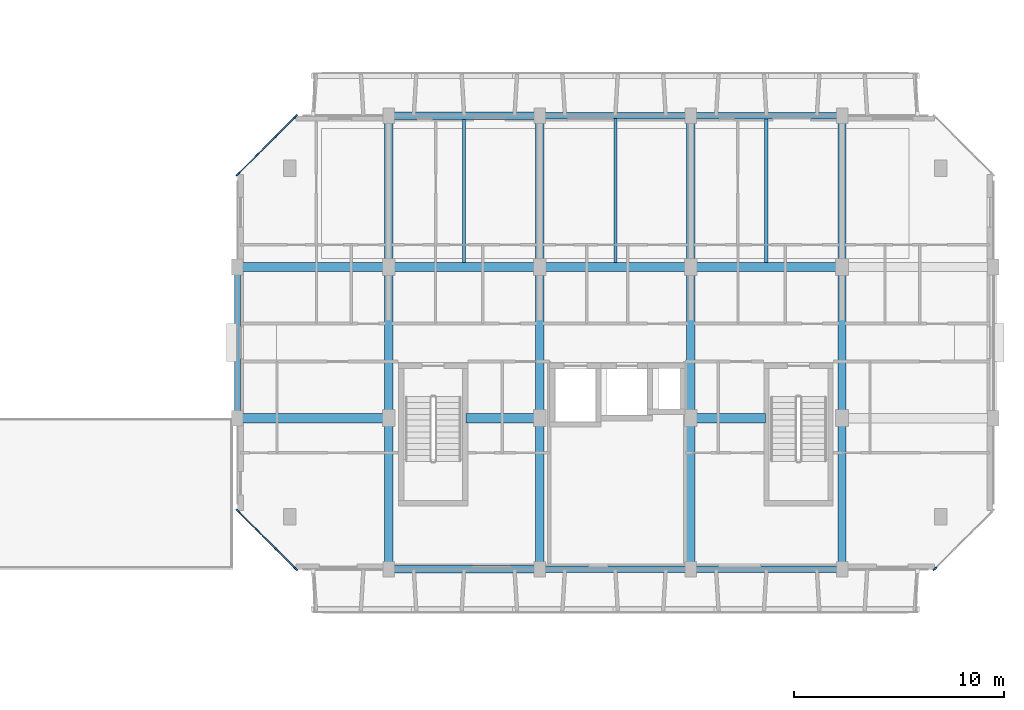
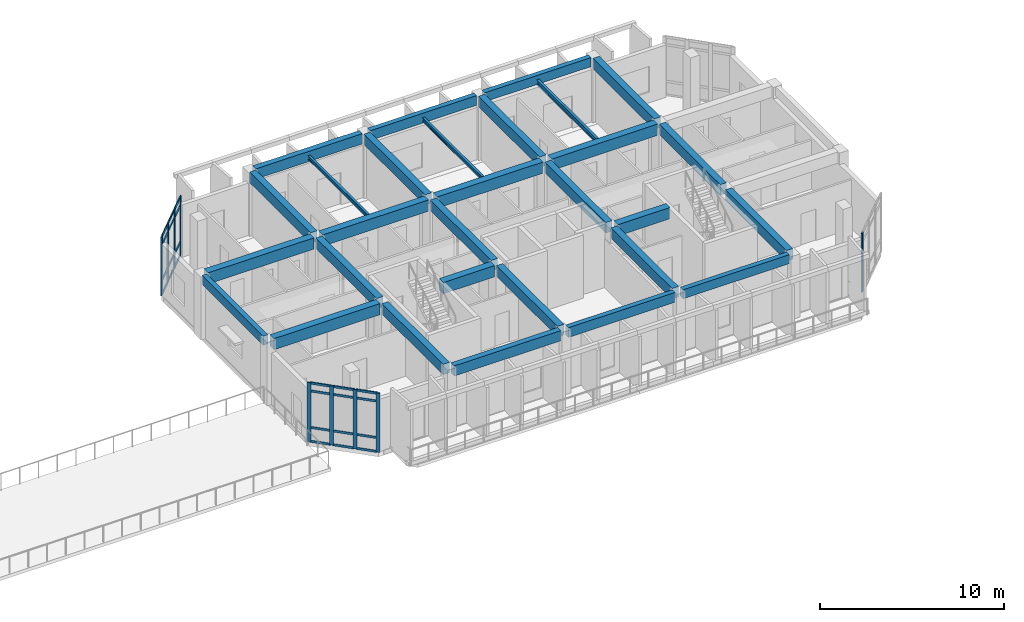
# One storey, part 33 of 85: 33 members, 29 beams, 3 elements without a shape of their own.
"""IFC4 building model written with IfcOpenShell, lengths in metres."""

from ifc_helpers import new_model, si_unit, direction, frame, origin, origin_2d, place, context, subcontext, project, spatial, rectangle, i_section, extrude, material, layer, layer_set, material_profile, profile_set, type_object, element, aggregate, save


model = new_model("IFC4")

# Units and contexts
model_context = context("Model", 3, precision=1e-05, world=origin(), true_north=direction((0.0, 1.0)))
body_context = subcontext(model_context, "Body", "Model", "MODEL_VIEW")
ifc_project = project(units=[si_unit("LENGTHUNIT", "METRE"), si_unit("AREAUNIT", "SQUARE_METRE"), si_unit("VOLUMEUNIT", "CUBIC_METRE"), si_unit("PLANEANGLEUNIT", "RADIAN"), si_unit("MASSUNIT", "GRAM", prefix="KILO")], contexts=[model_context])

# Site, building, storey
site_placement = place(None, origin())
site = spatial("IfcSite", under=ifc_project, at=site_placement, CompositionType="ELEMENT")
building_placement = place(site_placement, origin())
building = spatial("IfcBuilding", under=site, at=building_placement, Name="Ochrevale Crest", CompositionType="ELEMENT")
storey_placement = place(building_placement, frame((0.0, 0.0, 4.5)))
storey = spatial("IfcBuildingStorey", under=building, at=storey_placement, Name="L01", CompositionType="ELEMENT", Elevation=4.5)

# Beams
ifc_material_1 = material(Name="Precast concrete C50/60", Category="concrete")
ifc_material_profile_1 = material_profile(ifc_material_1, rectangle(XDim=0.39990234375, YDim=0.699951171875, at=origin_2d()), Name="PC 400x700")
ifc_profile_set_1 = profile_set([ifc_material_profile_1], Name="Precast concrete C50/60")
beam_type_1 = type_object("IfcBeamType", Name="BM-PC400x700", PredefinedType="BEAM", material=ifc_profile_set_1)
beam_1_placement = place(storey_placement, frame((136.800048828125, 72.2548828125, 3.85009765625), z_axis=(0.0, 1.0, 0.0), x_axis=(-1.0, 0.0, 0.0)))
element("IfcBeam", 1, at=beam_1_placement, inside=storey, type_object=beam_type_1, Name="Block D L01 N-S beam X=136.8", PredefinedType="BEAM", context=body_context, shape_type="SweptSolid", body=[
    extrude(rectangle(XDim=0.39990234375, YDim=0.699951171875, at=origin_2d()), origin(), (0.0, 0.0, 1.0), 6.6650390625),
])
beam_2_placement = place(storey_placement, frame((136.800048828125, 79.47998046875, 3.85009765625), z_axis=(0.0, 1.0, 0.0), x_axis=(-1.0, 0.0, 0.0)))
element("IfcBeam", 2, at=beam_2_placement, inside=storey, type_object=beam_type_1, Name="Block D L01 N-S beam X=136.8", PredefinedType="BEAM", context=body_context, shape_type="SweptSolid", body=[
    extrude(rectangle(XDim=0.39990234375, YDim=0.699951171875, at=origin_2d()), origin(), (0.0, 0.0, 1.0), 6.64013671875),
])
for number, where, z_axis, x_axis, name in (
    (3, (136.800048828125, 86.679931640625, 3.85009765625), (0.0, 1.0, 0.0), (-1.0, 0.0, 0.0), "Block D L01 N-S beam X=136.8"),
    (4, (144.0, 72.2548828125, 3.85009765625), (0.0, 1.0, 0.0), (-1.0, 0.0, 0.0), "Block D L01 N-S beam X=144.0"),
):
    element("IfcBeam", number, at=place(storey_placement, frame(where, z_axis=z_axis, x_axis=x_axis)), inside=storey, type_object=beam_type_1, Name=name, PredefinedType="BEAM", context=body_context, shape_type="SweptSolid", body=[
        extrude(rectangle(XDim=0.39990234375, YDim=0.699951171875, at=origin_2d()), origin(), (0.0, 0.0, 1.0), 6.6650390625),
    ])
beam_3_placement = place(storey_placement, frame((144.0, 79.47998046875, 3.85009765625), z_axis=(0.0, 1.0, 0.0), x_axis=(-1.0, 0.0, 0.0)))
element("IfcBeam", 5, at=beam_3_placement, inside=storey, type_object=beam_type_1, Name="Block D L01 N-S beam X=144.0", PredefinedType="BEAM", context=body_context, shape_type="SweptSolid", body=[
    extrude(rectangle(XDim=0.39990234375, YDim=0.699951171875, at=origin_2d()), origin(), (0.0, 0.0, 1.0), 6.64013671875),
])
for number, where, z_axis, x_axis, name in (
    (6, (144.0, 86.679931640625, 3.85009765625), (0.0, 1.0, 0.0), (-1.0, 0.0, 0.0), "Block D L01 N-S beam X=144.0"),
    (7, (151.199951171875, 72.2548828125, 3.85009765625), (0.0, 1.0, 0.0), (-1.0, 0.0, 0.0), "Block D L01 N-S beam X=151.2"),
):
    element("IfcBeam", number, at=place(storey_placement, frame(where, z_axis=z_axis, x_axis=x_axis)), inside=storey, type_object=beam_type_1, Name=name, PredefinedType="BEAM", context=body_context, shape_type="SweptSolid", body=[
        extrude(rectangle(XDim=0.39990234375, YDim=0.699951171875, at=origin_2d()), origin(), (0.0, 0.0, 1.0), 6.6650390625),
    ])
beam_4_placement = place(storey_placement, frame((151.199951171875, 79.47998046875, 3.85009765625), z_axis=(0.0, 1.0, 0.0), x_axis=(-1.0, 0.0, 0.0)))
element("IfcBeam", 8, at=beam_4_placement, inside=storey, type_object=beam_type_1, Name="Block D L01 N-S beam X=151.2", PredefinedType="BEAM", context=body_context, shape_type="SweptSolid", body=[
    extrude(rectangle(XDim=0.39990234375, YDim=0.699951171875, at=origin_2d()), origin(), (0.0, 0.0, 1.0), 6.64013671875),
])
for number, where, z_axis, x_axis, name in (
    (9, (151.199951171875, 86.679931640625, 3.85009765625), (0.0, 1.0, 0.0), (-1.0, 0.0, 0.0), "Block D L01 N-S beam X=151.2"),
    (10, (158.39990234375, 72.2548828125, 3.85009765625), (0.0, 1.0, 0.0), (-1.0, 0.0, 0.0), "Block D L01 N-S beam X=158.4"),
):
    element("IfcBeam", number, at=place(storey_placement, frame(where, z_axis=z_axis, x_axis=x_axis)), inside=storey, type_object=beam_type_1, Name=name, PredefinedType="BEAM", context=body_context, shape_type="SweptSolid", body=[
        extrude(rectangle(XDim=0.39990234375, YDim=0.699951171875, at=origin_2d()), origin(), (0.0, 0.0, 1.0), 6.6650390625),
    ])
beam_5_placement = place(storey_placement, frame((158.39990234375, 79.47998046875, 3.85009765625), z_axis=(0.0, 1.0, 0.0), x_axis=(-1.0, 0.0, 0.0)))
element("IfcBeam", 11, at=beam_5_placement, inside=storey, type_object=beam_type_1, Name="Block D L01 N-S beam X=158.4", PredefinedType="BEAM", context=body_context, shape_type="SweptSolid", body=[
    extrude(rectangle(XDim=0.39990234375, YDim=0.699951171875, at=origin_2d()), origin(), (0.0, 0.0, 1.0), 6.64013671875),
])
beam_6_placement = place(storey_placement, frame((158.39990234375, 86.679931640625, 3.85009765625), z_axis=(0.0, 1.0, 0.0), x_axis=(-1.0, 0.0, 0.0)))
element("IfcBeam", 12, at=beam_6_placement, inside=storey, type_object=beam_type_1, Name="Block D L01 N-S beam X=158.4", PredefinedType="BEAM", context=body_context, shape_type="SweptSolid", body=[
    extrude(rectangle(XDim=0.39990234375, YDim=0.699951171875, at=origin_2d()), origin(), (0.0, 0.0, 1.0), 6.6650390625),
])
ifc_material_2 = material(Name="Concrete C50/60", Category="concrete")
ifc_material_profile_2 = material_profile(ifc_material_2, rectangle(XDim=0.449951171875, YDim=0.75, at=origin_2d()), Name="RC 450x750")
ifc_profile_set_2 = profile_set([ifc_material_profile_2], Name="Concrete C50/60")
beam_type_2 = type_object("IfcBeamType", Name="BM-PG450x750", PredefinedType="USERDEFINED", material=ifc_profile_set_2)
beam_7_placement = place(storey_placement, frame((129.85009765625, 79.199951171875, 3.824951171875), z_axis=(1.0, 0.0, 0.0), x_axis=(0.0, 1.0, 0.0)))
element("IfcBeam", 13, at=beam_7_placement, inside=storey, type_object=beam_type_2, Name="Block D L01 E-W beam Y=79.2", ObjectType="GIRDER", PredefinedType="USERDEFINED", context=body_context, shape_type="SweptSolid", body=[
    extrude(rectangle(XDim=0.449951171875, YDim=0.75, at=origin_2d()), origin(), (0.0, 0.0, 1.0), 6.6748046875),
])
beam_8_placement = place(storey_placement, frame((140.489990234375, 79.199951171875, 3.824951171875), z_axis=(1.0, 0.0, 0.0), x_axis=(0.0, 1.0, 0.0)))
element("IfcBeam", 14, at=beam_8_placement, inside=storey, type_object=beam_type_2, Name="Block D L01 E-W beam Y=79.2", ObjectType="GIRDER", PredefinedType="USERDEFINED", context=body_context, shape_type="SweptSolid", body=[
    extrude(rectangle(XDim=0.449951171875, YDim=0.75, at=origin_2d()), origin(), (0.0, 0.0, 1.0), 3.235107421875),
])
beam_9_placement = place(storey_placement, frame((151.47509765625, 79.199951171875, 3.824951171875), z_axis=(1.0, 0.0, 0.0), x_axis=(0.0, 1.0, 0.0)))
element("IfcBeam", 15, at=beam_9_placement, inside=storey, type_object=beam_type_2, Name="Block D L01 E-W beam Y=79.2", ObjectType="GIRDER", PredefinedType="USERDEFINED", context=body_context, shape_type="SweptSolid", body=[
    extrude(rectangle(XDim=0.449951171875, YDim=0.75, at=origin_2d()), origin(), (0.0, 0.0, 1.0), 3.284912109375),
])
beam_10_placement = place(storey_placement, frame((129.85009765625, 86.39990234375, 3.824951171875), z_axis=(1.0, 0.0, 0.0), x_axis=(0.0, 1.0, 0.0)))
element("IfcBeam", 16, at=beam_10_placement, inside=storey, type_object=beam_type_2, Name="Block D L01 E-W beam Y=86.4", ObjectType="GIRDER", PredefinedType="USERDEFINED", context=body_context, shape_type="SweptSolid", body=[
    extrude(rectangle(XDim=0.449951171875, YDim=0.75, at=origin_2d()), origin(), (0.0, 0.0, 1.0), 6.6748046875),
])
for number, where, z_axis, x_axis, name in (
    (17, (137.074951171875, 86.39990234375, 3.824951171875), (1.0, 0.0, 0.0), (0.0, 1.0, 0.0), "Block D L01 E-W beam Y=86.4"),
    (18, (144.27490234375, 86.39990234375, 3.824951171875), (1.0, 0.0, 0.0), (0.0, 1.0, 0.0), "Block D L01 E-W beam Y=86.4"),
):
    element("IfcBeam", number, at=place(storey_placement, frame(where, z_axis=z_axis, x_axis=x_axis)), inside=storey, type_object=beam_type_2, Name=name, ObjectType="GIRDER", PredefinedType="USERDEFINED", context=body_context, shape_type="SweptSolid", body=[
        extrude(rectangle(XDim=0.449951171875, YDim=0.75, at=origin_2d()), origin(), (0.0, 0.0, 1.0), 6.650146484375),
    ])
beam_11_placement = place(storey_placement, frame((151.47509765625, 86.39990234375, 3.824951171875), z_axis=(1.0, 0.0, 0.0), x_axis=(0.0, 1.0, 0.0)))
element("IfcBeam", 19, at=beam_11_placement, inside=storey, type_object=beam_type_2, Name="Block D L01 E-W beam Y=86.4", ObjectType="GIRDER", PredefinedType="USERDEFINED", context=body_context, shape_type="SweptSolid", body=[
    extrude(rectangle(XDim=0.449951171875, YDim=0.75, at=origin_2d()), origin(), (0.0, 0.0, 1.0), 6.64990234375),
])
ifc_material_3 = material(Name="Precast concrete C40/50", Category="concrete")
ifc_material_profile_3 = material_profile(ifc_material_3, rectangle(XDim=0.300048828125, YDim=0.60009765625, at=origin_2d()), Name="PC 300x600")
ifc_profile_set_3 = profile_set([ifc_material_profile_3], Name="Precast concrete C40/50")
beam_type_3 = type_object("IfcBeamType", Name="BM-SP300x600", PredefinedType="SPANDREL", material=ifc_profile_set_3)
for number, where, z_axis, x_axis, name in (
    (20, (151.449951171875, 72.0, 3.89990234375), (1.0, 0.0, 0.0), (0.0, 1.0, 0.0), "Block D L01 E-W beam Y=72.0"),
    (21, (151.449951171875, 93.60009765625, 3.89990234375), (1.0, 0.0, 0.0), (0.0, 1.0, 0.0), "Block D L01 E-W beam Y=93.6"),
):
    element("IfcBeam", number, at=place(storey_placement, frame(where, z_axis=z_axis, x_axis=x_axis)), inside=storey, type_object=beam_type_3, Name=name, PredefinedType="SPANDREL", context=body_context, shape_type="SweptSolid", body=[
        extrude(rectangle(XDim=0.300048828125, YDim=0.60009765625, at=origin_2d()), origin(), (0.0, 0.0, 1.0), 6.699951171875),
    ])
beam_12_placement = place(storey_placement, frame((129.60009765625, 79.455078125, 3.89990234375), z_axis=(0.0, 1.0, 0.0), x_axis=(-1.0, 0.0, 0.0)))
element("IfcBeam", 22, at=beam_12_placement, inside=storey, type_object=beam_type_3, Name="Block D L01 N-S beam X=129.6", PredefinedType="SPANDREL", context=body_context, shape_type="SweptSolid", body=[
    extrude(rectangle(XDim=0.300048828125, YDim=0.60009765625, at=origin_2d()), origin(), (0.0, 0.0, 1.0), 6.68994140625),
])
ifc_material_profile_4 = material_profile(ifc_material_3, rectangle(XDim=0.300048828125, YDim=0.64990234375, at=origin_2d()), Name="PC 300x650")
ifc_profile_set_4 = profile_set([ifc_material_profile_4], Name="Precast concrete C40/50")
beam_type_4 = type_object("IfcBeamType", Name="BM-SP300x650", PredefinedType="SPANDREL", material=ifc_profile_set_4)
for number, where, z_axis, x_axis, name in (
    (23, (144.25, 72.0, 3.875), (1.0, 0.0, 0.0), (0.0, 1.0, 0.0), "Block D L01 E-W beam Y=72.0"),
    (24, (144.25, 93.60009765625, 3.875), (1.0, 0.0, 0.0), (0.0, 1.0, 0.0), "Block D L01 E-W beam Y=93.6"),
):
    element("IfcBeam", number, at=place(storey_placement, frame(where, z_axis=z_axis, x_axis=x_axis)), inside=storey, type_object=beam_type_4, Name=name, PredefinedType="SPANDREL", context=body_context, shape_type="SweptSolid", body=[
        extrude(rectangle(XDim=0.300048828125, YDim=0.64990234375, at=origin_2d()), origin(), (0.0, 0.0, 1.0), 6.699951171875),
    ])
ifc_material_profile_5 = material_profile(ifc_material_3, rectangle(XDim=0.35009765625, YDim=0.679931640625, at=origin_2d()), Name="PC 350x680")
ifc_profile_set_5 = profile_set([ifc_material_profile_5], Name="Precast concrete C40/50")
beam_type_5 = type_object("IfcBeamType", Name="BM-SP350x680", PredefinedType="SPANDREL", material=ifc_profile_set_5)
for number, where, z_axis, x_axis, name in (
    (25, (137.050048828125, 72.0, 3.860107421875), (1.0, 0.0, 0.0), (0.0, 1.0, 0.0), "Block D L01 E-W beam Y=72.0"),
    (26, (137.050048828125, 93.60009765625, 3.860107421875), (1.0, 0.0, 0.0), (0.0, 1.0, 0.0), "Block D L01 E-W beam Y=93.6"),
):
    element("IfcBeam", number, at=place(storey_placement, frame(where, z_axis=z_axis, x_axis=x_axis)), inside=storey, type_object=beam_type_5, Name=name, PredefinedType="SPANDREL", context=body_context, shape_type="SweptSolid", body=[
        extrude(rectangle(XDim=0.35009765625, YDim=0.679931640625, at=origin_2d()), origin(), (0.0, 0.0, 1.0), 6.699951171875),
    ])
ifc_material_4 = material(Name="Steel S355", Category="steel")
ifc_material_profile_6 = material_profile(ifc_material_4, i_section(OverallWidth=0.14599609375, OverallDepth=0.251708984375, WebThickness=0.006103515625, FlangeThickness=0.008544921875, FilletRadius=0.0087890625, at=origin_2d()), Name="250UB31.4")
ifc_profile_set_6 = profile_set([ifc_material_profile_6], Name="Steel S355")
beam_type_6 = type_object("IfcBeamType", Name="BM-UB250A", PredefinedType="JOIST", material=ifc_profile_set_6)
beam_13_placement = place(storey_placement, frame((140.39990234375, 86.613037109375, 3.79931640625), z_axis=(0.0, 1.0, 0.0), x_axis=(-1.0, 0.0, 0.0)))
element("IfcBeam", 27, at=beam_13_placement, inside=storey, type_object=beam_type_6, Name="Block D L01 composite plank trimmer beam 2", PredefinedType="JOIST", context=body_context, shape_type="SweptSolid", body=[
    extrude(i_section(OverallWidth=0.14599609375, OverallDepth=0.251708984375, WebThickness=0.006103515625, FlangeThickness=0.008544921875, FilletRadius=0.0087890625, at=origin_2d()), origin(), (0.0, 0.0, 1.0), 6.823974609375),
])
ifc_material_profile_7 = material_profile(ifc_material_4, i_section(OverallWidth=0.146484375, OverallDepth=0.256103515625, WebThickness=0.00634765625, FlangeThickness=0.010986328125, FilletRadius=0.0087890625, at=origin_2d()), Name="250UB37.3")
ifc_profile_set_7 = profile_set([ifc_material_profile_7], Name="Steel S355")
beam_type_7 = type_object("IfcBeamType", Name="BM-UB250B", PredefinedType="JOIST", material=ifc_profile_set_7)
beam_14_placement = place(storey_placement, frame((147.60009765625, 86.613037109375, 3.796875), z_axis=(0.0, 1.0, 0.0), x_axis=(-1.0, 0.0, 0.0)))
element("IfcBeam", 28, at=beam_14_placement, inside=storey, type_object=beam_type_7, Name="Block D L01 composite plank trimmer beam 3", PredefinedType="JOIST", context=body_context, shape_type="SweptSolid", body=[
    extrude(i_section(OverallWidth=0.146484375, OverallDepth=0.256103515625, WebThickness=0.00634765625, FlangeThickness=0.010986328125, FilletRadius=0.0087890625, at=origin_2d()), origin(), (0.0, 0.0, 1.0), 6.848876953125),
])
ifc_material_profile_8 = material_profile(ifc_material_4, i_section(OverallWidth=0.1650390625, OverallDepth=0.3037109375, WebThickness=0.006103515625, FlangeThickness=0.01025390625, FilletRadius=0.011474609375, at=origin_2d()), Name="310UB40.4")
ifc_profile_set_8 = profile_set([ifc_material_profile_8], Name="Steel S355")
beam_type_8 = type_object("IfcBeamType", Name="BM-UB310A", PredefinedType="BEAM", material=ifc_profile_set_8)
beam_15_placement = place(storey_placement, frame((154.800048828125, 86.613037109375, 3.773193359375), z_axis=(0.0, 1.0, 0.0), x_axis=(-1.0, 0.0, 0.0)))
element("IfcBeam", 29, at=beam_15_placement, inside=storey, type_object=beam_type_8, Name="Block D L01 composite plank trimmer beam 4", PredefinedType="BEAM", context=body_context, shape_type="SweptSolid", body=[
    extrude(i_section(OverallWidth=0.1650390625, OverallDepth=0.3037109375, WebThickness=0.006103515625, FlangeThickness=0.01025390625, FilletRadius=0.011474609375, at=origin_2d()), origin(), (0.0, 0.0, 1.0), 6.848876953125),
])

# Curtain wall, member
ifc_material_5 = material(Name="Anodised aluminium 6063-T5", Category="aluminium")
ifc_layer = layer(ifc_material_5, 0.14990234375)
ifc_layer_set = layer_set([ifc_layer], Name="Anodised aluminium 6063-T5")
curtain_wall_type = type_object("IfcCurtainWallType", Name="CW-WG-360x385", PredefinedType="NOTDEFINED", material=ifc_layer_set)
curtain_wall_1_placement = place(storey_placement, origin())
curtain_wall_1 = element("IfcCurtainWall", 30, at=curtain_wall_1_placement, inside=storey, type_object=curtain_wall_type, Name="Block D L01 chamfered corner wintergarden curtain wall 2", PredefinedType="NOTDEFINED")
ifc_material_profile_9 = material_profile(ifc_material_5, rectangle(XDim=0.074951171875, YDim=0.219970703125, at=origin_2d()), Name="ALU 75x220")
ifc_profile_set_9 = profile_set([ifc_material_profile_9], Name="Anodised aluminium 6063-T5")
member_type_1 = type_object("IfcMemberType", Name="CW-MUL-75x220", PredefinedType="MULLION", material=ifc_profile_set_9)
member_1_placement = place(storey_placement, frame((162.826416015625, 72.026611328125, 0.0), z_axis=(0.0, 0.0, 1.0), x_axis=(-0.707106781187, 0.707106781187, 0.0)))
member_1 = element("IfcMember", 31, at=member_1_placement, type_object=member_type_1, Name="CW20 mullion 1", PredefinedType="MULLION", context=body_context, shape_type="SweptSolid", body=[
    extrude(rectangle(XDim=0.074951171875, YDim=0.219970703125, at=origin_2d()), origin(), (0.0, 0.0, 1.0), 3.925048828125),
])
aggregate(curtain_wall_1, [member_1])

# Curtain wall, members
curtain_wall_2_placement = place(storey_placement, origin())
curtain_wall_2 = element("IfcCurtainWall", 32, at=curtain_wall_2_placement, inside=storey, type_object=curtain_wall_type, Name="Block D L01 chamfered corner wintergarden curtain wall 6", PredefinedType="NOTDEFINED")
member_2_placement = place(storey_placement, frame((132.37353515625, 93.573486328125, 0.0), z_axis=(0.0, 0.0, 1.0), x_axis=(0.707106781187, -0.707106781187, 0.0)))
member_2 = element("IfcMember", 33, at=member_2_placement, type_object=member_type_1, Name="CW20 mullion 1", PredefinedType="MULLION", context=body_context, shape_type="SweptSolid", body=[
    extrude(rectangle(XDim=0.074951171875, YDim=0.219970703125, at=origin_2d()), origin(), (0.0, 0.0, 1.0), 3.925048828125),
])
member_3_placement = place(storey_placement, frame((131.466552734375, 92.666748046875, 0.0), z_axis=(0.0, 0.0, 1.0), x_axis=(0.707106781187, -0.707106781187, 0.0)))
member_3 = element("IfcMember", 34, at=member_3_placement, type_object=member_type_1, Name="CW20 mullion 2", PredefinedType="MULLION", context=body_context, shape_type="SweptSolid", body=[
    extrude(rectangle(XDim=0.074951171875, YDim=0.219970703125, at=origin_2d()), origin(), (0.0, 0.0, 1.0), 3.925048828125),
])
member_4_placement = place(storey_placement, frame((130.533447265625, 91.7333984375, 0.0), z_axis=(0.0, 0.0, 1.0), x_axis=(0.707106781187, -0.707106781187, 0.0)))
member_4 = element("IfcMember", 35, at=member_4_placement, type_object=member_type_1, Name="CW20 mullion 3", PredefinedType="MULLION", context=body_context, shape_type="SweptSolid", body=[
    extrude(rectangle(XDim=0.074951171875, YDim=0.219970703125, at=origin_2d()), origin(), (0.0, 0.0, 1.0), 3.925048828125),
])
member_5_placement = place(storey_placement, frame((129.62646484375, 90.826416015625, 0.0), z_axis=(0.0, 0.0, 1.0), x_axis=(0.707106781187, -0.707106781187, 0.0)))
member_5 = element("IfcMember", 36, at=member_5_placement, type_object=member_type_1, Name="CW20 mullion 4", PredefinedType="MULLION", context=body_context, shape_type="SweptSolid", body=[
    extrude(rectangle(XDim=0.074951171875, YDim=0.219970703125, at=origin_2d()), origin(), (0.0, 0.0, 1.0), 3.925048828125),
])

curtain_wall_3_placement = place(storey_placement, origin())
curtain_wall_3 = element("IfcCurtainWall", 37, at=curtain_wall_3_placement, inside=storey, type_object=curtain_wall_type, Name="Block D L01 chamfered corner wintergarden curtain wall 8", PredefinedType="NOTDEFINED")
member_6_placement = place(storey_placement, frame((129.62646484375, 74.7734375, 0.0), z_axis=(0.0, 0.0, 1.0), x_axis=(0.707106781187, 0.707106781187, 0.0)))
member_6 = element("IfcMember", 38, at=member_6_placement, type_object=member_type_1, Name="CW20 mullion 1", PredefinedType="MULLION", context=body_context, shape_type="SweptSolid", body=[
    extrude(rectangle(XDim=0.074951171875, YDim=0.219970703125, at=origin_2d()), origin(), (0.0, 0.0, 1.0), 3.925048828125),
])
member_7_placement = place(storey_placement, frame((130.533447265625, 73.86669921875, 0.0), z_axis=(0.0, 0.0, 1.0), x_axis=(0.707106781187, 0.707106781187, 0.0)))
member_7 = element("IfcMember", 39, at=member_7_placement, type_object=member_type_1, Name="CW20 mullion 2", PredefinedType="MULLION", context=body_context, shape_type="SweptSolid", body=[
    extrude(rectangle(XDim=0.074951171875, YDim=0.219970703125, at=origin_2d()), origin(), (0.0, 0.0, 1.0), 3.925048828125),
])
member_8_placement = place(storey_placement, frame((131.466552734375, 72.933349609375, 0.0), z_axis=(0.0, 0.0, 1.0), x_axis=(0.707106781187, 0.707106781187, 0.0)))
member_8 = element("IfcMember", 40, at=member_8_placement, type_object=member_type_1, Name="CW20 mullion 3", PredefinedType="MULLION", context=body_context, shape_type="SweptSolid", body=[
    extrude(rectangle(XDim=0.074951171875, YDim=0.219970703125, at=origin_2d()), origin(), (0.0, 0.0, 1.0), 3.925048828125),
])
member_9_placement = place(storey_placement, frame((132.37353515625, 72.026611328125, 0.0), z_axis=(0.0, 0.0, 1.0), x_axis=(0.707106781187, 0.707106781187, 0.0)))
member_9 = element("IfcMember", 41, at=member_9_placement, type_object=member_type_1, Name="CW20 mullion 4", PredefinedType="MULLION", context=body_context, shape_type="SweptSolid", body=[
    extrude(rectangle(XDim=0.074951171875, YDim=0.219970703125, at=origin_2d()), origin(), (0.0, 0.0, 1.0), 3.925048828125),
])

# Member
ifc_material_profile_10 = material_profile(ifc_material_5, rectangle(XDim=0.06005859375, YDim=0.14990234375, at=origin_2d()), Name="ALU 60x150")
ifc_profile_set_10 = profile_set([ifc_material_profile_10], Name="Anodised aluminium 6063-T5")
member_type_2 = type_object("IfcMemberType", Name="CW-TRN-60x150", PredefinedType="USERDEFINED", material=ifc_profile_set_10)
member_10_placement = place(storey_placement, frame((132.346923828125, 93.546875, 0.030029296875), z_axis=(-0.707106781187, -0.707106781187, 0.0), x_axis=(0.707106781187, -0.707106781187, 0.0)))
member_10 = element("IfcMember", 42, at=member_10_placement, type_object=member_type_2, Name="CW20 transom 1.1", ObjectType="TRANSOM", PredefinedType="USERDEFINED", context=body_context, shape_type="SweptSolid", body=[
    extrude(rectangle(XDim=0.06005859375, YDim=0.14990234375, at=origin_2d()), origin(), (0.0, 0.0, 1.0), 1.20751953125),
])

member_11_placement = place(storey_placement, frame((132.346923828125, 93.546875, 0.949951171875), z_axis=(-0.707106781187, -0.707106781187, 0.0), x_axis=(0.707106781187, -0.707106781187, 0.0)))
member_11 = element("IfcMember", 43, at=member_11_placement, type_object=member_type_2, Name="CW20 transom 1.2", ObjectType="TRANSOM", PredefinedType="USERDEFINED", context=body_context, shape_type="SweptSolid", body=[
    extrude(rectangle(XDim=0.06005859375, YDim=0.14990234375, at=origin_2d()), origin(), (0.0, 0.0, 1.0), 1.20751953125),
])

member_12_placement = place(storey_placement, frame((132.346923828125, 93.546875, 3.375), z_axis=(-0.707106781187, -0.707106781187, 0.0), x_axis=(0.707106781187, -0.707106781187, 0.0)))
member_12 = element("IfcMember", 44, at=member_12_placement, type_object=member_type_2, Name="CW20 transom 1.3", ObjectType="TRANSOM", PredefinedType="USERDEFINED", context=body_context, shape_type="SweptSolid", body=[
    extrude(rectangle(XDim=0.06005859375, YDim=0.14990234375, at=origin_2d()), origin(), (0.0, 0.0, 1.0), 1.20751953125),
])

member_13_placement = place(storey_placement, frame((132.346923828125, 93.546875, 3.89501953125), z_axis=(-0.707106781187, -0.707106781187, 0.0), x_axis=(0.707106781187, -0.707106781187, 0.0)))
member_13 = element("IfcMember", 45, at=member_13_placement, type_object=member_type_2, Name="CW20 transom 1.4", ObjectType="TRANSOM", PredefinedType="USERDEFINED", context=body_context, shape_type="SweptSolid", body=[
    extrude(rectangle(XDim=0.06005859375, YDim=0.14990234375, at=origin_2d()), origin(), (0.0, 0.0, 1.0), 1.20751953125),
])

member_14_placement = place(storey_placement, frame((131.440185546875, 92.64013671875, 0.030029296875), z_axis=(-0.707106781187, -0.707106781187, 0.0), x_axis=(0.707106781187, -0.707106781187, 0.0)))
member_14 = element("IfcMember", 46, at=member_14_placement, type_object=member_type_2, Name="CW20 transom 2.1", ObjectType="TRANSOM", PredefinedType="USERDEFINED", context=body_context, shape_type="SweptSolid", body=[
    extrude(rectangle(XDim=0.06005859375, YDim=0.14990234375, at=origin_2d()), origin(), (0.0, 0.0, 1.0), 1.2451171875),
])

member_15_placement = place(storey_placement, frame((131.440185546875, 92.64013671875, 0.949951171875), z_axis=(-0.707106781187, -0.707106781187, 0.0), x_axis=(0.707106781187, -0.707106781187, 0.0)))
member_15 = element("IfcMember", 47, at=member_15_placement, type_object=member_type_2, Name="CW20 transom 2.2", ObjectType="TRANSOM", PredefinedType="USERDEFINED", context=body_context, shape_type="SweptSolid", body=[
    extrude(rectangle(XDim=0.06005859375, YDim=0.14990234375, at=origin_2d()), origin(), (0.0, 0.0, 1.0), 1.2451171875),
])

member_16_placement = place(storey_placement, frame((131.440185546875, 92.64013671875, 3.375), z_axis=(-0.707106781187, -0.707106781187, 0.0), x_axis=(0.707106781187, -0.707106781187, 0.0)))
member_16 = element("IfcMember", 48, at=member_16_placement, type_object=member_type_2, Name="CW20 transom 2.3", ObjectType="TRANSOM", PredefinedType="USERDEFINED", context=body_context, shape_type="SweptSolid", body=[
    extrude(rectangle(XDim=0.06005859375, YDim=0.14990234375, at=origin_2d()), origin(), (0.0, 0.0, 1.0), 1.2451171875),
])

member_17_placement = place(storey_placement, frame((131.440185546875, 92.64013671875, 3.89501953125), z_axis=(-0.707106781187, -0.707106781187, 0.0), x_axis=(0.707106781187, -0.707106781187, 0.0)))
member_17 = element("IfcMember", 49, at=member_17_placement, type_object=member_type_2, Name="CW20 transom 2.4", ObjectType="TRANSOM", PredefinedType="USERDEFINED", context=body_context, shape_type="SweptSolid", body=[
    extrude(rectangle(XDim=0.06005859375, YDim=0.14990234375, at=origin_2d()), origin(), (0.0, 0.0, 1.0), 1.2451171875),
])

member_18_placement = place(storey_placement, frame((130.5068359375, 91.706787109375, 0.030029296875), z_axis=(-0.707106781187, -0.707106781187, 0.0), x_axis=(0.707106781187, -0.707106781187, 0.0)))
member_18 = element("IfcMember", 50, at=member_18_placement, type_object=member_type_2, Name="CW20 transom 3.1", ObjectType="TRANSOM", PredefinedType="USERDEFINED", context=body_context, shape_type="SweptSolid", body=[
    extrude(rectangle(XDim=0.06005859375, YDim=0.14990234375, at=origin_2d()), origin(), (0.0, 0.0, 1.0), 1.20751953125),
])

member_19_placement = place(storey_placement, frame((130.5068359375, 91.706787109375, 0.949951171875), z_axis=(-0.707106781187, -0.707106781187, 0.0), x_axis=(0.707106781187, -0.707106781187, 0.0)))
member_19 = element("IfcMember", 51, at=member_19_placement, type_object=member_type_2, Name="CW20 transom 3.2", ObjectType="TRANSOM", PredefinedType="USERDEFINED", context=body_context, shape_type="SweptSolid", body=[
    extrude(rectangle(XDim=0.06005859375, YDim=0.14990234375, at=origin_2d()), origin(), (0.0, 0.0, 1.0), 1.20751953125),
])

member_20_placement = place(storey_placement, frame((130.5068359375, 91.706787109375, 3.375), z_axis=(-0.707106781187, -0.707106781187, 0.0), x_axis=(0.707106781187, -0.707106781187, 0.0)))
member_20 = element("IfcMember", 52, at=member_20_placement, type_object=member_type_2, Name="CW20 transom 3.3", ObjectType="TRANSOM", PredefinedType="USERDEFINED", context=body_context, shape_type="SweptSolid", body=[
    extrude(rectangle(XDim=0.06005859375, YDim=0.14990234375, at=origin_2d()), origin(), (0.0, 0.0, 1.0), 1.20751953125),
])

member_21_placement = place(storey_placement, frame((130.5068359375, 91.706787109375, 3.89501953125), z_axis=(-0.707106781187, -0.707106781187, 0.0), x_axis=(0.707106781187, -0.707106781187, 0.0)))
member_21 = element("IfcMember", 53, at=member_21_placement, type_object=member_type_2, Name="CW20 transom 3.4", ObjectType="TRANSOM", PredefinedType="USERDEFINED", context=body_context, shape_type="SweptSolid", body=[
    extrude(rectangle(XDim=0.06005859375, YDim=0.14990234375, at=origin_2d()), origin(), (0.0, 0.0, 1.0), 1.20751953125),
])

aggregate(curtain_wall_2, [member_2, member_3, member_4, member_5, member_10, member_11, member_12, member_13, member_14, member_15, member_16, member_17, member_18, member_19, member_20, member_21])

member_22_placement = place(storey_placement, frame((129.653076171875, 74.7470703125, 0.030029296875), z_axis=(0.707005686502, -0.70720786142, 0.0), x_axis=(0.70720786142, 0.707005686502, 0.0)))
member_22 = element("IfcMember", 54, at=member_22_placement, type_object=member_type_2, Name="CW20 transom 1.1", ObjectType="TRANSOM", PredefinedType="USERDEFINED", context=body_context, shape_type="SweptSolid", body=[
    extrude(rectangle(XDim=0.06005859375, YDim=0.14990234375, at=origin_2d()), origin(), (0.0, 0.0, 1.0), 1.20751953125),
])

member_23_placement = place(storey_placement, frame((129.653076171875, 74.7470703125, 0.949951171875), z_axis=(0.707005686502, -0.70720786142, 0.0), x_axis=(0.70720786142, 0.707005686502, 0.0)))
member_23 = element("IfcMember", 55, at=member_23_placement, type_object=member_type_2, Name="CW20 transom 1.2", ObjectType="TRANSOM", PredefinedType="USERDEFINED", context=body_context, shape_type="SweptSolid", body=[
    extrude(rectangle(XDim=0.06005859375, YDim=0.14990234375, at=origin_2d()), origin(), (0.0, 0.0, 1.0), 1.20751953125),
])

member_24_placement = place(storey_placement, frame((129.653076171875, 74.7470703125, 3.375), z_axis=(0.707005686502, -0.70720786142, 0.0), x_axis=(0.70720786142, 0.707005686502, 0.0)))
member_24 = element("IfcMember", 56, at=member_24_placement, type_object=member_type_2, Name="CW20 transom 1.3", ObjectType="TRANSOM", PredefinedType="USERDEFINED", context=body_context, shape_type="SweptSolid", body=[
    extrude(rectangle(XDim=0.06005859375, YDim=0.14990234375, at=origin_2d()), origin(), (0.0, 0.0, 1.0), 1.20751953125),
])

member_25_placement = place(storey_placement, frame((129.653076171875, 74.7470703125, 3.89501953125), z_axis=(0.707005686502, -0.70720786142, 0.0), x_axis=(0.70720786142, 0.707005686502, 0.0)))
member_25 = element("IfcMember", 57, at=member_25_placement, type_object=member_type_2, Name="CW20 transom 1.4", ObjectType="TRANSOM", PredefinedType="USERDEFINED", context=body_context, shape_type="SweptSolid", body=[
    extrude(rectangle(XDim=0.06005859375, YDim=0.14990234375, at=origin_2d()), origin(), (0.0, 0.0, 1.0), 1.20751953125),
])

member_26_placement = place(storey_placement, frame((130.559814453125, 73.840087890625, 0.030029296875), z_axis=(0.707204833848, -0.707008714926, 0.0), x_axis=(0.707008714926, 0.707204833848, 0.0)))
member_26 = element("IfcMember", 58, at=member_26_placement, type_object=member_type_2, Name="CW20 transom 2.1", ObjectType="TRANSOM", PredefinedType="USERDEFINED", context=body_context, shape_type="SweptSolid", body=[
    extrude(rectangle(XDim=0.06005859375, YDim=0.14990234375, at=origin_2d()), origin(), (0.0, 0.0, 1.0), 1.244873046875),
])

member_27_placement = place(storey_placement, frame((130.559814453125, 73.840087890625, 0.949951171875), z_axis=(0.707204833848, -0.707008714926, 0.0), x_axis=(0.707008714926, 0.707204833848, 0.0)))
member_27 = element("IfcMember", 59, at=member_27_placement, type_object=member_type_2, Name="CW20 transom 2.2", ObjectType="TRANSOM", PredefinedType="USERDEFINED", context=body_context, shape_type="SweptSolid", body=[
    extrude(rectangle(XDim=0.06005859375, YDim=0.14990234375, at=origin_2d()), origin(), (0.0, 0.0, 1.0), 1.244873046875),
])

member_28_placement = place(storey_placement, frame((130.559814453125, 73.840087890625, 3.375), z_axis=(0.707204833848, -0.707008714926, 0.0), x_axis=(0.707008714926, 0.707204833848, 0.0)))
member_28 = element("IfcMember", 60, at=member_28_placement, type_object=member_type_2, Name="CW20 transom 2.3", ObjectType="TRANSOM", PredefinedType="USERDEFINED", context=body_context, shape_type="SweptSolid", body=[
    extrude(rectangle(XDim=0.06005859375, YDim=0.14990234375, at=origin_2d()), origin(), (0.0, 0.0, 1.0), 1.244873046875),
])

member_29_placement = place(storey_placement, frame((130.559814453125, 73.840087890625, 3.89501953125), z_axis=(0.707204833848, -0.707008714926, 0.0), x_axis=(0.707008714926, 0.707204833848, 0.0)))
member_29 = element("IfcMember", 61, at=member_29_placement, type_object=member_type_2, Name="CW20 transom 2.4", ObjectType="TRANSOM", PredefinedType="USERDEFINED", context=body_context, shape_type="SweptSolid", body=[
    extrude(rectangle(XDim=0.06005859375, YDim=0.14990234375, at=origin_2d()), origin(), (0.0, 0.0, 1.0), 1.244873046875),
])

member_30_placement = place(storey_placement, frame((131.4931640625, 72.90673828125, 0.030029296875), z_axis=(0.707106781187, -0.707106781187, 0.0), x_axis=(0.707106781187, 0.707106781187, 0.0)))
member_30 = element("IfcMember", 62, at=member_30_placement, type_object=member_type_2, Name="CW20 transom 3.1", ObjectType="TRANSOM", PredefinedType="USERDEFINED", context=body_context, shape_type="SweptSolid", body=[
    extrude(rectangle(XDim=0.06005859375, YDim=0.14990234375, at=origin_2d()), origin(), (0.0, 0.0, 1.0), 1.20751953125),
])

member_31_placement = place(storey_placement, frame((131.4931640625, 72.90673828125, 0.949951171875), z_axis=(0.707106781187, -0.707106781187, 0.0), x_axis=(0.707106781187, 0.707106781187, 0.0)))
member_31 = element("IfcMember", 63, at=member_31_placement, type_object=member_type_2, Name="CW20 transom 3.2", ObjectType="TRANSOM", PredefinedType="USERDEFINED", context=body_context, shape_type="SweptSolid", body=[
    extrude(rectangle(XDim=0.06005859375, YDim=0.14990234375, at=origin_2d()), origin(), (0.0, 0.0, 1.0), 1.20751953125),
])

member_32_placement = place(storey_placement, frame((131.4931640625, 72.90673828125, 3.375), z_axis=(0.707106781187, -0.707106781187, 0.0), x_axis=(0.707106781187, 0.707106781187, 0.0)))
member_32 = element("IfcMember", 64, at=member_32_placement, type_object=member_type_2, Name="CW20 transom 3.3", ObjectType="TRANSOM", PredefinedType="USERDEFINED", context=body_context, shape_type="SweptSolid", body=[
    extrude(rectangle(XDim=0.06005859375, YDim=0.14990234375, at=origin_2d()), origin(), (0.0, 0.0, 1.0), 1.20751953125),
])

member_33_placement = place(storey_placement, frame((131.4931640625, 72.90673828125, 3.89501953125), z_axis=(0.707106781187, -0.707106781187, 0.0), x_axis=(0.707106781187, 0.707106781187, 0.0)))
member_33 = element("IfcMember", 65, at=member_33_placement, type_object=member_type_2, Name="CW20 transom 3.4", ObjectType="TRANSOM", PredefinedType="USERDEFINED", context=body_context, shape_type="SweptSolid", body=[
    extrude(rectangle(XDim=0.06005859375, YDim=0.14990234375, at=origin_2d()), origin(), (0.0, 0.0, 1.0), 1.20751953125),
])

aggregate(curtain_wall_3, [member_6, member_7, member_8, member_9, member_22, member_23, member_24, member_25, member_26, member_27, member_28, member_29, member_30, member_31, member_32, member_33])

save(model, "model.ifc")
